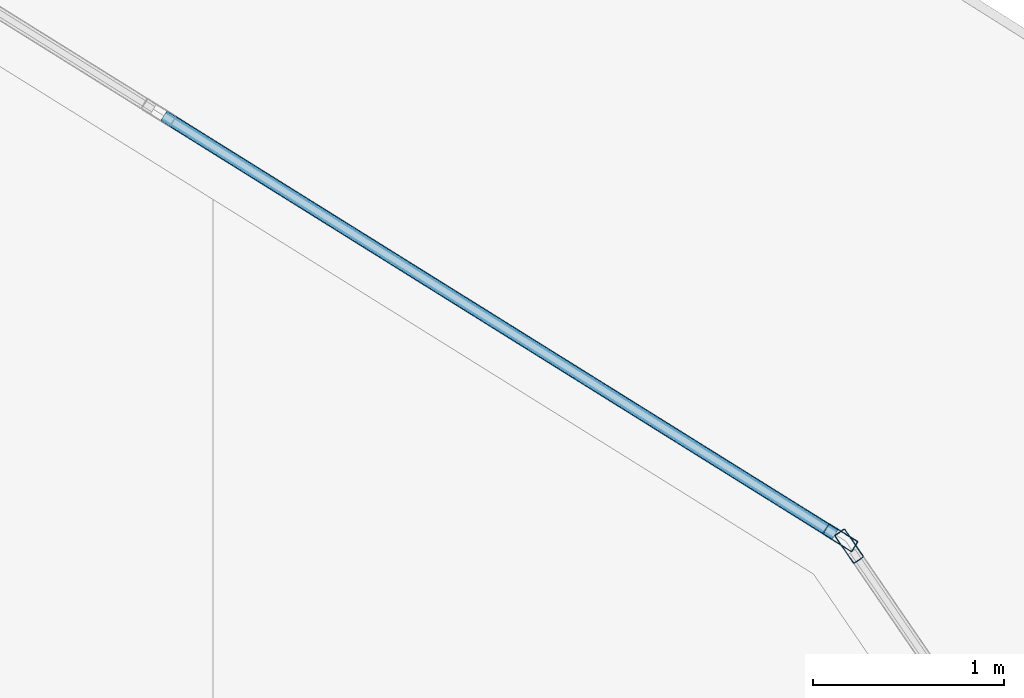
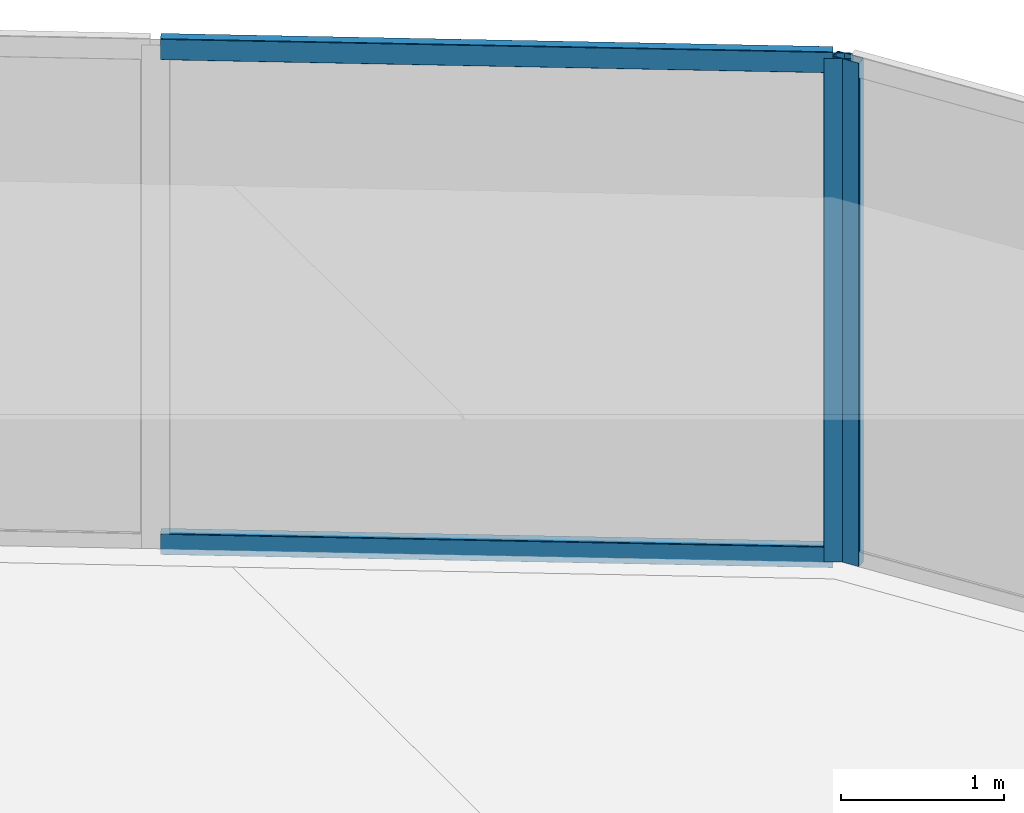
# One storey, part 23 of 37: 4 members, 2 elements without a shape of their own.
"""IFC4 building model written with IfcOpenShell, lengths in metres."""

from ifc_helpers import new_model, si_unit, direction, frame, origin, origin_2d, place, context, subcontext, project, spatial, hollow_rectangle, extrude, material, layer, layer_set, material_profile, profile_set, type_object, element, aggregate, save


model = new_model("IFC4")

# Units and contexts
model_context = context("Model", 3, precision=1e-05, world=origin(), true_north=direction((0.0, 1.0)))
body_context = subcontext(model_context, "Body", "Model", "MODEL_VIEW")
ifc_project = project(units=[si_unit("LENGTHUNIT", "METRE"), si_unit("AREAUNIT", "SQUARE_METRE"), si_unit("VOLUMEUNIT", "CUBIC_METRE"), si_unit("PLANEANGLEUNIT", "RADIAN"), si_unit("MASSUNIT", "GRAM", prefix="KILO")], contexts=[model_context])

# Site, building, storey
site_placement = place(None, origin())
site = spatial("IfcSite", under=ifc_project, at=site_placement, CompositionType="ELEMENT")
building_placement = place(site_placement, origin())
building = spatial("IfcBuilding", under=site, at=building_placement, Name="Qorvath Tower", CompositionType="ELEMENT")
storey_placement = place(building_placement, frame((0.0, 0.0, 188.85009765625)))
storey = spatial("IfcBuildingStorey", under=building, at=storey_placement, Name="L43", CompositionType="ELEMENT", Elevation=188.85009765625)

# Curtain wall, member
ifc_material_1 = material(Name="Anodised aluminium and triple low-E glass", Category="aluminium")
ifc_layer = layer(ifc_material_1, 0.179931640625)
ifc_layer_set = layer_set([ifc_layer], Name="CW-SYS-3")
curtain_wall_type = type_object("IfcCurtainWallType", Name="CW-SYS-3", PredefinedType="NOTDEFINED", material=ifc_layer_set)
curtain_wall_1_placement = place(storey_placement, origin())
curtain_wall_1 = element("IfcCurtainWall", 1, at=curtain_wall_1_placement, inside=storey, type_object=curtain_wall_type, Name="Curtain Wall CW-3 CW-T-L43-13.1", PredefinedType="NOTDEFINED")
ifc_material_2 = material(Name="Anodised aluminium 6063-T6", Category="aluminium")
ifc_material_profile_1 = material_profile(ifc_material_2, hollow_rectangle(XDim=0.06494140625, YDim=0.179931640625, WallThickness=0.00341796875, InnerFilletRadius=0.00341796875, OuterFilletRadius=0.007080078125, at=origin_2d()), Name="CWM 180x65")
ifc_profile_set_1 = profile_set([ifc_material_profile_1], Name="Anodised aluminium 6063-T6")
member_type_1 = type_object("IfcMemberType", Name="CWM-180", PredefinedType="MULLION", material=ifc_profile_set_1)
member_1_placement = place(storey_placement, frame((-5.3134765625, 21.78564453125, 0.0), z_axis=(0.0, 0.0, 1.0), x_axis=(-0.825476698429, -0.564436196882, 0.0)))
member_1 = element("IfcMember", 2, at=member_1_placement, type_object=member_type_1, Name="CW-3 mullion 2", PredefinedType="MULLION", context=body_context, shape_type="SweptSolid", body=[
    extrude(hollow_rectangle(XDim=0.06494140625, YDim=0.179931640625, WallThickness=0.00341796875, InnerFilletRadius=0.00341796875, OuterFilletRadius=0.007080078125, at=origin_2d()), origin(), (0.0, 0.0, 1.0), 3.77978515625),
])
aggregate(curtain_wall_1, [member_1])

# Curtain wall, members
curtain_wall_2_placement = place(storey_placement, origin())
curtain_wall_2 = element("IfcCurtainWall", 3, at=curtain_wall_2_placement, inside=storey, type_object=curtain_wall_type, Name="Curtain Wall CW-3 CW-T-L43-14.1", PredefinedType="NOTDEFINED")
member_2_placement = place(storey_placement, frame((-5.359375, 21.82958984375, 0.0), z_axis=(0.0, 0.0, 1.0), x_axis=(-0.529252450172, -0.848464403488, 0.0)))
member_2 = element("IfcMember", 4, at=member_2_placement, type_object=member_type_1, Name="CW-3 mullion 1", PredefinedType="MULLION", context=body_context, shape_type="SweptSolid", body=[
    extrude(hollow_rectangle(XDim=0.06494140625, YDim=0.179931640625, WallThickness=0.00341796875, InnerFilletRadius=0.00341796875, OuterFilletRadius=0.007080078125, at=origin_2d()), origin(), (0.0, 0.0, 1.0), 3.77978515625),
])
ifc_material_3 = material(Name="Anodised aluminium 6063-T6", Category="aluminium")
ifc_material_profile_2 = material_profile(ifc_material_3, hollow_rectangle(XDim=0.06494140625, YDim=0.159912109375, WallThickness=0.00341796875, InnerFilletRadius=0.00341796875, OuterFilletRadius=0.007080078125, at=origin_2d()), Name="CWT 160x65")
ifc_profile_set_2 = profile_set([ifc_material_profile_2], Name="Anodised aluminium 6063-T6")
member_type_2 = type_object("IfcMemberType", Name="CWT-160", PredefinedType="USERDEFINED", material=ifc_profile_set_2)
member_3_placement = place(storey_placement, frame((-5.386962890625, 21.846923828125, 0.032470703125), z_axis=(-0.848485399586, 0.529218789056, 0.0), x_axis=(-0.529218789056, -0.848485399586, 0.0)))
member_3 = element("IfcMember", 5, at=member_3_placement, type_object=member_type_2, Name="CW-3 transom 1.1", ObjectType="TRANSOM", PredefinedType="USERDEFINED", context=body_context, shape_type="SweptSolid", body=[
    extrude(hollow_rectangle(XDim=0.06494140625, YDim=0.159912109375, WallThickness=0.00341796875, InnerFilletRadius=0.00341796875, OuterFilletRadius=0.007080078125, at=origin_2d()), origin(), (0.0, 0.0, 1.0), 4.13623046875),
])
member_4_placement = place(storey_placement, frame((-5.386962890625, 21.846923828125, 3.747314453125), z_axis=(-0.848485399586, 0.529218789056, 0.0), x_axis=(-0.529218789056, -0.848485399586, 0.0)))
member_4 = element("IfcMember", 6, at=member_4_placement, type_object=member_type_2, Name="CW-3 transom 1.2", ObjectType="TRANSOM", PredefinedType="USERDEFINED", context=body_context, shape_type="SweptSolid", body=[
    extrude(hollow_rectangle(XDim=0.06494140625, YDim=0.159912109375, WallThickness=0.00341796875, InnerFilletRadius=0.00341796875, OuterFilletRadius=0.007080078125, at=origin_2d()), origin(), (0.0, 0.0, 1.0), 4.13623046875),
])
aggregate(curtain_wall_2, [member_2, member_3, member_4])

save(model, "model.ifc")
